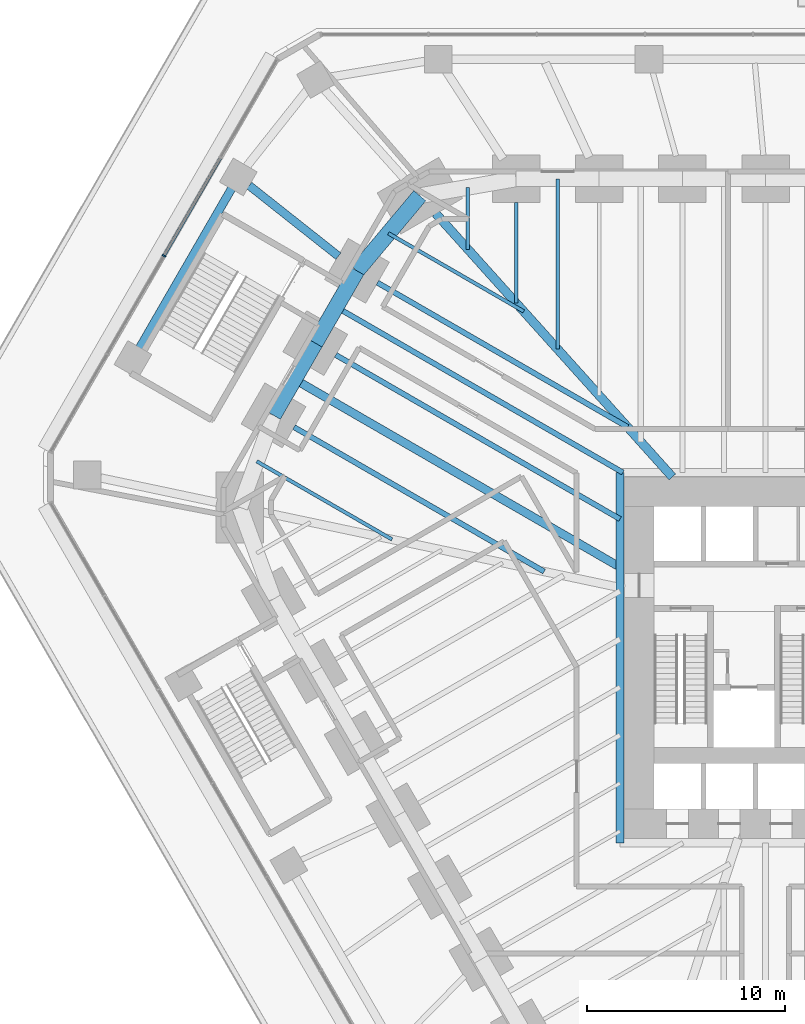
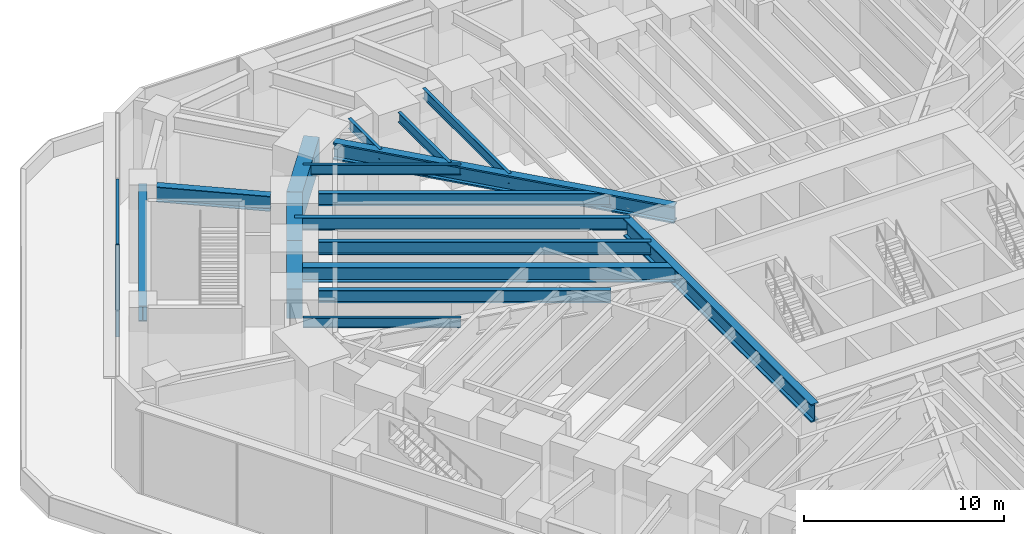
# One storey, part 6 of 24: 17 beams, 2 members, 1 element without a shape of its own.
"""IFC4 building model written with IfcOpenShell, lengths in metres."""

from ifc_helpers import new_model, si_unit, direction, frame, origin, origin_2d, place, context, subcontext, project, spatial, rectangle, i_section, extrude, material, material_profile, profile_set, type_object, element, aggregate, save


model = new_model("IFC4")

# Units and contexts
model_context = context("Model", 3, precision=1e-05, world=origin(), true_north=direction((0.0, 1.0)))
body_context = subcontext(model_context, "Body", "Model", "MODEL_VIEW")
ifc_project = project(units=[si_unit("LENGTHUNIT", "METRE"), si_unit("AREAUNIT", "SQUARE_METRE"), si_unit("VOLUMEUNIT", "CUBIC_METRE"), si_unit("PLANEANGLEUNIT", "RADIAN"), si_unit("MASSUNIT", "GRAM", prefix="KILO")], contexts=[model_context])

# Site, building, storey
site_placement = place(None, origin())
site = spatial("IfcSite", under=ifc_project, at=site_placement, CompositionType="ELEMENT")
building_placement = place(site_placement, origin())
building = spatial("IfcBuilding", under=site, at=building_placement, Name="Sandreach Pilgrim Tower", CompositionType="ELEMENT")
storey_placement = place(building_placement, frame((0.0, 0.0, 12.0)))
storey = spatial("IfcBuildingStorey", under=building, at=storey_placement, Name="L02", CompositionType="ELEMENT", Elevation=12.0)

# Curtain wall, members
ifc_material_1 = material(Name="Aluminium framed curtain wall", Category="aluminium")
curtain_wall_type = type_object("IfcCurtainWallType", Name="Podium storefront curtain wall", PredefinedType="NOTDEFINED", material=ifc_material_1)
curtain_wall_placement = place(storey_placement, origin())
curtain_wall = element("IfcCurtainWall", 1, at=curtain_wall_placement, inside=storey, type_object=curtain_wall_type, Name="CW-P L02 NW", PredefinedType="NOTDEFINED")
ifc_material_2 = material(Name="Aluminium extrusion", Category="aluminium")
ifc_material_profile_1 = material_profile(ifc_material_2, rectangle(XDim=0.070068359375, YDim=0.199951171875, at=origin_2d()), Name="CW-PM 70X200")
ifc_profile_set_1 = profile_set([ifc_material_profile_1], Name="Aluminium extrusion")
member_type_1 = type_object("IfcMemberType", Name="CW-P mullion", PredefinedType="MULLION", material=ifc_profile_set_1)
member_1_placement = place(storey_placement, frame((-32.552734375, 18.794189453125, 0.0), z_axis=(0.0, 0.0, 1.0), x_axis=(0.5, 0.866025403784, 0.0)))
member_1 = element("IfcMember", 2, at=member_1_placement, type_object=member_type_1, Name="CW-P mullion 3", PredefinedType="MULLION", context=body_context, shape_type="SweptSolid", body=[
    extrude(rectangle(XDim=0.070068359375, YDim=0.199951171875, at=origin_2d()), origin(), (0.0, 0.0, 1.0), 5.60009765625),
])
ifc_material_3 = material(Name="Aluminium extrusion", Category="aluminium")
ifc_material_profile_2 = material_profile(ifc_material_3, rectangle(XDim=0.159912109375, YDim=0.070068359375, at=origin_2d()), Name="CW-PT 160X70")
ifc_profile_set_2 = profile_set([ifc_material_profile_2], Name="Aluminium extrusion")
member_type_2 = type_object("IfcMemberType", Name="CW-P transom", PredefinedType="USERDEFINED", material=ifc_profile_set_2)
member_2_placement = place(storey_placement, frame((-32.53515625, 18.82470703125, 5.56494140625), z_axis=(0.499996344484, 0.866027514288, 0.0), x_axis=(-0.866027514288, 0.499996344484, 0.0)))
member_2 = element("IfcMember", 3, at=member_2_placement, type_object=member_type_2, Name="CW-P head transom 3", ObjectType="TRANSOM", PredefinedType="USERDEFINED", context=body_context, shape_type="SweptSolid", body=[
    extrude(rectangle(XDim=0.159912109375, YDim=0.070068359375, at=origin_2d()), origin(), (0.0, 0.0, 1.0), 5.68408203125),
])
aggregate(curtain_wall, [member_1, member_2])

# Beams
ifc_material_4 = material(Name="Steel ASTM A992 Grade 50", Category="steel")
ifc_material_profile_3 = material_profile(ifc_material_4, i_section(OverallWidth=0.424072265625, OverallDepth=1.09228515625, WebThickness=0.04541015625, FlangeThickness=0.08203125, at=origin_2d()), Name="W40X593")
ifc_profile_set_3 = profile_set([ifc_material_profile_3], Name="Steel ASTM A992 Grade 50")
beam_type_1 = type_object("IfcBeamType", Name="Core edge beam W40X593", PredefinedType="BEAM", material=ifc_profile_set_3)
beam_1_placement = place(storey_placement, frame((-9.47216796875, -10.922119140625, 5.2939453125), z_axis=(0.0, 1.0, 0.0), x_axis=(-1.0, 0.0, 0.0)))
element("IfcBeam", 4, at=beam_1_placement, inside=storey, type_object=beam_type_1, Name="BM L02 CEW", PredefinedType="BEAM", context=body_context, shape_type="SweptSolid", body=[
    extrude(i_section(OverallWidth=0.424072265625, OverallDepth=1.09228515625, WebThickness=0.04541015625, FlangeThickness=0.08203125, at=origin_2d()), origin(), (0.0, 0.0, 1.0), 18.744140625),
])
ifc_material_5 = material(Name="Steel ASTM A992 Grade 50", Category="steel")
ifc_material_profile_4 = material_profile(ifc_material_5, i_section(OverallWidth=0.447021484375, OverallDepth=1.0439453125, WebThickness=0.050048828125, FlangeThickness=0.08984375, at=origin_2d()), Name="W36X652")
ifc_profile_set_4 = profile_set([ifc_material_profile_4], Name="Steel ASTM A992 Grade 50")
beam_type_2 = type_object("IfcBeamType", Name="Corner girder W36X652", PredefinedType="BEAM", material=ifc_profile_set_4)
beam_2_placement = place(storey_placement, frame((-18.8046875, 20.94189453125, 5.318115234375), z_axis=(0.668127834846, -0.74404650144, 0.0), x_axis=(0.74404650144, 0.668127834846, 0.0)))
element("IfcBeam", 5, at=beam_2_placement, inside=storey, type_object=beam_type_2, Name="BM L02 CG39", PredefinedType="BEAM", context=body_context, shape_type="SweptSolid", body=[
    extrude(i_section(OverallWidth=0.447021484375, OverallDepth=1.0439453125, WebThickness=0.050048828125, FlangeThickness=0.08984375, at=origin_2d()), origin(), (0.0, 0.0, 1.0), 17.931396484375),
])
ifc_material_6 = material(Name="Steel ASTM A992 Grade 50", Category="steel")
ifc_material_profile_5 = material_profile(ifc_material_6, i_section(OverallWidth=0.1787109375, OverallDepth=0.60205078125, WebThickness=0.010986328125, FlangeThickness=0.014892578125, at=origin_2d()), Name="W24X62")
ifc_profile_set_5 = profile_set([ifc_material_profile_5], Name="Steel ASTM A992 Grade 50")
beam_type_3 = type_object("IfcBeamType", Name="Floor beam W24X62", PredefinedType="BEAM", material=ifc_profile_set_5)
beam_3_placement = place(storey_placement, frame((-14.734619140625, 21.48876953125, 5.5390625), z_axis=(0.0, -1.0, 0.0), x_axis=(1.0, 0.0, 0.0)))
element("IfcBeam", 6, at=beam_3_placement, inside=storey, type_object=beam_type_3, Name="BM L02 F01", PredefinedType="BEAM", context=body_context, shape_type="SweptSolid", body=[
    extrude(i_section(OverallWidth=0.1787109375, OverallDepth=0.60205078125, WebThickness=0.010986328125, FlangeThickness=0.014892578125, at=origin_2d()), origin(), (0.0, 0.0, 1.0), 5.079345703125),
])
beam_4_placement = place(storey_placement, frame((-12.629638671875, 22.688720703125, 5.5390625), z_axis=(0.0, -1.0, 0.0), x_axis=(1.0, 0.0, 0.0)))
element("IfcBeam", 7, at=beam_4_placement, inside=storey, type_object=beam_type_3, Name="BM L02 FM01", PredefinedType="BEAM", context=body_context, shape_type="SweptSolid", body=[
    extrude(i_section(OverallWidth=0.1787109375, OverallDepth=0.60205078125, WebThickness=0.010986328125, FlangeThickness=0.014892578125, at=origin_2d()), origin(), (0.0, 0.0, 1.0), 8.62353515625),
])
for number, where, z_axis, x_axis, name in (
    (8, (-27.861328125, 8.390380859375, 5.5390625), (0.866028778003, -0.499994155636, 0.0), (0.499994155636, 0.866028778003, 0.0), "BM L02 FM35"),
    (9, (-21.197021484375, 19.933349609375, 5.5390625), (0.866028778003, -0.499994155636, 0.0), (0.499994155636, 0.866028778003, 0.0), "BM L02 FM38"),
):
    element("IfcBeam", number, at=place(storey_placement, frame(where, z_axis=z_axis, x_axis=x_axis)), inside=storey, type_object=beam_type_3, Name=name, PredefinedType="BEAM", context=body_context, shape_type="SweptSolid", body=[
        extrude(i_section(OverallWidth=0.1787109375, OverallDepth=0.60205078125, WebThickness=0.010986328125, FlangeThickness=0.014892578125, at=origin_2d()), origin(), (0.0, 0.0, 1.0), 7.90771484375),
    ])
beam_5_placement = place(storey_placement, frame((-17.17041015625, 22.26171875, 5.5390625), z_axis=(0.0, -1.0, 0.0), x_axis=(1.0, 0.0, 0.0)))
element("IfcBeam", 10, at=beam_5_placement, inside=storey, type_object=beam_type_3, Name="BM L02 FM39", PredefinedType="BEAM", context=body_context, shape_type="SweptSolid", body=[
    extrude(i_section(OverallWidth=0.1787109375, OverallDepth=0.60205078125, WebThickness=0.010986328125, FlangeThickness=0.014892578125, at=origin_2d()), origin(), (0.0, 0.0, 1.0), 3.1396484375),
])
ifc_material_7 = material(Name="Steel ASTM A992 Grade 50", Category="steel")
ifc_material_profile_6 = material_profile(ifc_material_7, i_section(OverallWidth=0.2666015625, OverallDepth=0.761962890625, WebThickness=0.014404296875, FlangeThickness=0.021484375, at=origin_2d()), Name="W30X116")
ifc_profile_set_6 = profile_set([ifc_material_profile_6], Name="Steel ASTM A992 Grade 50")
beam_type_4 = type_object("IfcBeamType", Name="Floor beam W30X116", PredefinedType="BEAM", material=ifc_profile_set_6)
for number, where, z_axis, x_axis, name in (
    (11, (-25.970947265625, 10.118896484375, 5.458984375), (0.866020355572, -0.500008743658, 0.0), (0.500008743658, 0.866020355572, 0.0), "BM L02 F36"),
    (12, (-21.74853515625, 17.43212890625, 5.458984375), (0.866020355572, -0.500008743658, 0.0), (0.500008743658, 0.866020355572, 0.0), "BM L02 F38"),
):
    element("IfcBeam", number, at=place(storey_placement, frame(where, z_axis=z_axis, x_axis=x_axis)), inside=storey, type_object=beam_type_4, Name=name, PredefinedType="BEAM", context=body_context, shape_type="SweptSolid", body=[
        extrude(i_section(OverallWidth=0.2666015625, OverallDepth=0.761962890625, WebThickness=0.014404296875, FlangeThickness=0.021484375, at=origin_2d()), origin(), (0.0, 0.0, 1.0), 14.615966796875),
    ])
ifc_material_8 = material(Name="Steel ASTM A992 Grade 50", Category="steel")
ifc_material_profile_7 = material_profile(ifc_material_8, i_section(OverallWidth=0.2666015625, OverallDepth=0.77978515625, WebThickness=0.0166015625, FlangeThickness=0.030029296875, at=origin_2d()), Name="W30X148")
ifc_profile_set_7 = profile_set([ifc_material_profile_7], Name="Steel ASTM A992 Grade 50")
beam_type_5 = type_object("IfcBeamType", Name="Floor beam W30X148", PredefinedType="BEAM", material=ifc_profile_set_7)
beam_6_placement = place(storey_placement, frame((-23.85986328125, 13.775390625, 5.4501953125), z_axis=(0.866027987673, -0.499995524547, 0.0), x_axis=(0.499995524547, 0.866027987673, 0.0)))
element("IfcBeam", 13, at=beam_6_placement, inside=storey, type_object=beam_type_5, Name="BM L02 F37", PredefinedType="BEAM", context=body_context, shape_type="SweptSolid", body=[
    extrude(i_section(OverallWidth=0.2666015625, OverallDepth=0.77978515625, WebThickness=0.0166015625, FlangeThickness=0.030029296875, at=origin_2d()), origin(), (0.0, 0.0, 1.0), 16.613525390625),
])
beam_7_placement = place(storey_placement, frame((-23.843505859375, 16.203857421875, 5.4501953125), z_axis=(0.866022606334, -0.500004845295, 0.0), x_axis=(0.500004845295, 0.866022606334, 0.0)))
element("IfcBeam", 14, at=beam_7_placement, inside=storey, type_object=beam_type_5, Name="BM L02 FM37", PredefinedType="BEAM", context=body_context, shape_type="SweptSolid", body=[
    extrude(i_section(OverallWidth=0.2666015625, OverallDepth=0.77978515625, WebThickness=0.0166015625, FlangeThickness=0.030029296875, at=origin_2d()), origin(), (0.0, 0.0, 1.0), 16.763427734375),
])
ifc_material_9 = material(Name="Steel ASTM A992 Grade 50", Category="steel")
ifc_material_profile_8 = material_profile(ifc_material_9, i_section(OverallWidth=0.419189453125, OverallDepth=0.927001953125, WebThickness=0.019287109375, FlangeThickness=0.031982421875, at=origin_2d()), Name="W36X231")
ifc_profile_set_8 = profile_set([ifc_material_profile_8], Name="Steel ASTM A992 Grade 50")
beam_type_6 = type_object("IfcBeamType", Name="Floor beam W36X231", PredefinedType="BEAM", material=ifc_profile_set_8)
beam_8_placement = place(storey_placement, frame((-25.95458984375, 12.547119140625, 5.37646484375), z_axis=(0.866025800233, -0.499999313329, 0.0), x_axis=(0.499999313329, 0.866025800233, 0.0)))
element("IfcBeam", 15, at=beam_8_placement, inside=storey, type_object=beam_type_6, Name="BM L02 FM36", PredefinedType="BEAM", context=body_context, shape_type="SweptSolid", body=[
    extrude(i_section(OverallWidth=0.419189453125, OverallDepth=0.927001953125, WebThickness=0.019287109375, FlangeThickness=0.031982421875, at=origin_2d()), origin(), (0.0, 0.0, 1.0), 19.0322265625),
])
ifc_material_10 = material(Name="Steel ASTM A992 Grade 50", Category="steel")
ifc_material_profile_9 = material_profile(ifc_material_10, i_section(OverallWidth=0.419189453125, OverallDepth=0.927001953125, WebThickness=0.019287109375, FlangeThickness=0.031982421875, at=origin_2d()), Name="W36X231")
ifc_profile_set_9 = profile_set([ifc_material_profile_9], Name="Steel ASTM A992 Grade 50")
beam_type_7 = type_object("IfcBeamType", Name="Podium beam W36X231", PredefinedType="BEAM", material=ifc_profile_set_9)
beam_9_placement = place(storey_placement, frame((-23.728759765625, 18.776611328125, 5.136474609375), z_axis=(-0.784174749231, 0.620540057263, 0.0), x_axis=(-0.620540057263, -0.784174749231, 0.0)))
element("IfcBeam", 16, at=beam_9_placement, inside=storey, type_object=beam_type_7, Name="BM L02 PR125-38", PredefinedType="BEAM", context=body_context, shape_type="SweptSolid", body=[
    extrude(i_section(OverallWidth=0.419189453125, OverallDepth=0.927001953125, WebThickness=0.019287109375, FlangeThickness=0.031982421875, at=origin_2d()), origin(), (0.0, 0.0, 1.0), 5.759033203125),
])
ifc_material_11 = material(Name="Steel ASTM A992 Grade 50", Category="steel")
ifc_material_profile_10 = material_profile(ifc_material_11, i_section(OverallWidth=0.424072265625, OverallDepth=0.947509765625, WebThickness=0.02392578125, FlangeThickness=0.042724609375, at=origin_2d()), Name="W36X302")
ifc_profile_set_10 = profile_set([ifc_material_profile_10], Name="Steel ASTM A992 Grade 50")
beam_type_8 = type_object("IfcBeamType", Name="Podium edge beam W36X302", PredefinedType="BEAM", material=ifc_profile_set_10)
beam_10_placement = place(storey_placement, frame((-34.129150390625, 13.5439453125, 5.126220703125), z_axis=(0.500005016135, 0.866022507698, 0.0), x_axis=(-0.866022507698, 0.500005016135, 0.0)))
element("IfcBeam", 17, at=beam_10_placement, inside=storey, type_object=beam_type_8, Name="BM L02 PE125-36", PredefinedType="BEAM", context=body_context, shape_type="SweptSolid", body=[
    extrude(i_section(OverallWidth=0.424072265625, OverallDepth=0.947509765625, WebThickness=0.02392578125, FlangeThickness=0.042724609375, at=origin_2d()), origin(), (0.0, 0.0, 1.0), 10.67041015625),
])
ifc_material_12 = material(Name="Concrete 10000 psi", Category="concrete")
ifc_material_profile_11 = material_profile(ifc_material_12, rectangle(XDim=0.800048828125, YDim=1.800048828125, at=origin_2d()), Name="RC800X1800")
ifc_profile_set_11 = profile_set([ifc_material_profile_11], Name="Concrete 10000 psi")
beam_type_9 = type_object("IfcBeamType", Name="Spandrel beam RC800X1800", PredefinedType="SPANDREL", material=ifc_profile_set_11)
beam_11_placement = place(storey_placement, frame((-27.01025390625, 10.71875, 4.93994140625), z_axis=(0.500019412692, 0.866014195571, 0.0), x_axis=(-0.866014195571, 0.500019412692, 0.0)))
element("IfcBeam", 18, at=beam_11_placement, inside=storey, type_object=beam_type_9, Name="BM L02 SP36", PredefinedType="SPANDREL", context=body_context, shape_type="SweptSolid", body=[
    extrude(rectangle(XDim=0.800048828125, YDim=1.800048828125, at=origin_2d()), origin(), (0.0, 0.0, 1.0), 4.222412109375),
])
beam_12_placement = place(storey_placement, frame((-24.89892578125, 14.37548828125, 4.93994140625), z_axis=(0.500001084989, 0.866024777365, 0.0), x_axis=(-0.866024777365, 0.500001084989, 0.0)))
element("IfcBeam", 19, at=beam_12_placement, inside=storey, type_object=beam_type_9, Name="BM L02 SP37", PredefinedType="SPANDREL", context=body_context, shape_type="SweptSolid", body=[
    extrude(rectangle(XDim=0.800048828125, YDim=1.800048828125, at=origin_2d()), origin(), (0.0, 0.0, 1.0), 4.22216796875),
])
beam_13_placement = place(storey_placement, frame((-22.787841796875, 18.031982421875, 4.93994140625), z_axis=(0.641665295114, 0.766984777584, 0.0), x_axis=(-0.766984777584, 0.641665295114, 0.0)))
element("IfcBeam", 20, at=beam_13_placement, inside=storey, type_object=beam_type_9, Name="BM L02 SP38", PredefinedType="SPANDREL", context=body_context, shape_type="SweptSolid", body=[
    extrude(rectangle(XDim=0.800048828125, YDim=1.800048828125, at=origin_2d()), origin(), (0.0, 0.0, 1.0), 4.9580078125),
])

save(model, "model.ifc")
